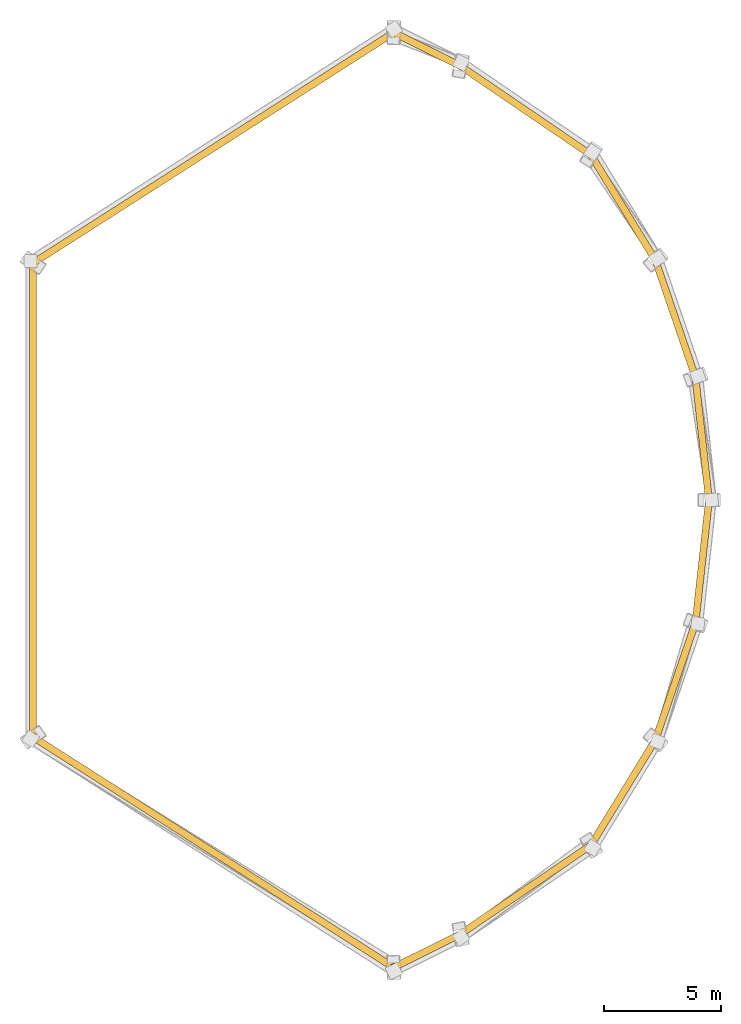
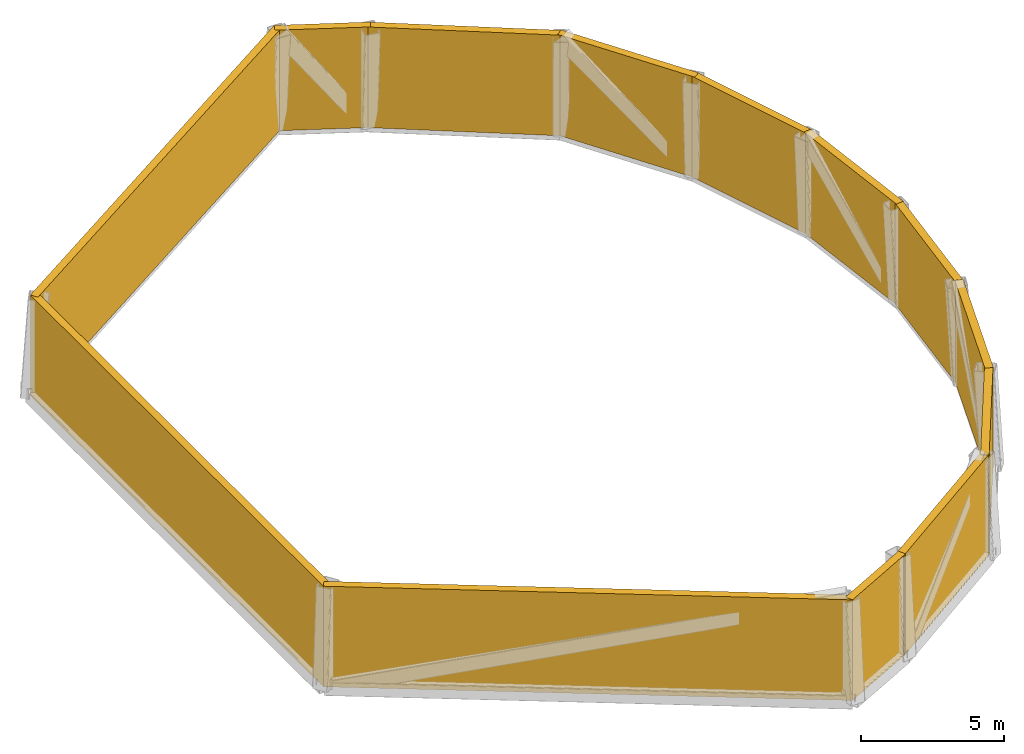
# One storey, part 2 of 2: 13 shading devices.
"""IFC4 building model written with IfcOpenShell, lengths in metres."""

from ifc_helpers import new_model, si_unit, direction, frame, origin, origin_2d, place, context, subcontext, project, spatial, rectangle, extrude, material, type_object, element, save


model = new_model("IFC4")

# Units and contexts
model_context = context("Model", 3, precision=1e-05, world=origin(), true_north=direction((0.0, 1.0)))
body_context = subcontext(model_context, "Body", "Model", "MODEL_VIEW")
ifc_project = project(units=[si_unit("LENGTHUNIT", "METRE"), si_unit("AREAUNIT", "SQUARE_METRE"), si_unit("VOLUMEUNIT", "CUBIC_METRE"), si_unit("PLANEANGLEUNIT", "RADIAN"), si_unit("MASSUNIT", "GRAM", prefix="KILO")], contexts=[model_context])

# Site, building, storey
site_placement = place(None, origin())
site = spatial("IfcSite", under=ifc_project, at=site_placement, CompositionType="ELEMENT")
building_placement = place(site_placement, origin())
building = spatial("IfcBuilding", under=site, at=building_placement, Name="Qorvath Tower", CompositionType="ELEMENT")
storey_placement = place(building_placement, frame((0.0, 0.0, 331.199951171875)))
storey = spatial("IfcBuildingStorey", under=building, at=storey_placement, Name="L77", CompositionType="ELEMENT", Elevation=331.199951171875)

# Shading devices
ifc_material = material(Name="Anodised bronze-champagne aluminium", Category="aluminium")
shading_device_type = type_object("IfcShadingDeviceType", Name="SD-SCREEN", PredefinedType="USERDEFINED", material=ifc_material)
shading_device_1_placement = place(storey_placement, frame((-34.613525390625, 0.0, -0.0400390625), z_axis=(0.0, 0.0, 1.0), x_axis=(0.0, -1.0, 0.0)))
element("IfcShadingDevice", 1, at=shading_device_1_placement, inside=storey, type_object=shading_device_type, Name="Crown Acoustic Louvre Screen L77-01", PredefinedType="NOTDEFINED", context=body_context, shape_type="SweptSolid", body=[
    extrude(rectangle(XDim=20.424560546875, YDim=0.300048828125, at=origin_2d()), origin(), (0.0, 0.0, 1.0), 4.280029296875),
])
shading_device_2_placement = place(storey_placement, frame((-26.9091796875, -15.05615234375, -0.0400390625), z_axis=(0.0, 0.0, 1.0), x_axis=(0.842609396732, -0.538525212537, 0.0)))
element("IfcShadingDevice", 2, at=shading_device_2_placement, inside=storey, type_object=shading_device_type, Name="Crown Acoustic Louvre Screen L77-02", PredefinedType="NOTDEFINED", context=body_context, shape_type="SweptSolid", body=[
    extrude(rectangle(XDim=18.44677734375, YDim=0.300048828125, at=origin_2d()), origin(), (0.0, 0.0, 1.0), 4.280029296875),
])
shading_device_3_placement = place(storey_placement, frame((-17.777587890625, -19.2666015625, -0.0400390625), z_axis=(0.0, 0.0, 1.0), x_axis=(0.894439298152, 0.447189380377, 0.0)))
element("IfcShadingDevice", 3, at=shading_device_3_placement, inside=storey, type_object=shading_device_type, Name="Crown Acoustic Louvre Screen L77-03", PredefinedType="NOTDEFINED", context=body_context, shape_type="SweptSolid", body=[
    extrude(rectangle(XDim=3.35107421875, YDim=0.300048828125, at=origin_2d()), origin(), (0.0, 0.0, 1.0), 4.280029296875),
])
shading_device_4_placement = place(storey_placement, frame((-13.561279296875, -16.654541015625, -0.0400390625), z_axis=(0.0, 0.0, 1.0), x_axis=(0.8266663593, 0.562692394121, 0.0)))
element("IfcShadingDevice", 4, at=shading_device_4_placement, inside=storey, type_object=shading_device_type, Name="Crown Acoustic Louvre Screen L77-04", PredefinedType="NOTDEFINED", context=body_context, shape_type="SweptSolid", body=[
    extrude(rectangle(XDim=6.907958984375, YDim=0.300048828125, at=origin_2d()), origin(), (0.0, 0.0, 1.0), 4.280029296875),
])
for number, where, z_axis, x_axis, name in (
    (5, (-9.3935546875, -12.5029296875, -0.0400390625), (0.0, 0.0, 1.0), (0.521924024988, 0.852991976598, 0.0), "Crown Acoustic Louvre Screen L77-05"),
    (6, (-7.160400390625, -7.75048828125, -0.0400390625), (0.0, 0.0, 1.0), (0.32353265473, 0.946217005408, 0.0), "Crown Acoustic Louvre Screen L77-06"),
    (7, (-6.016357421875, -2.62548828125, -0.0400390625), (0.0, 0.0, 1.0), (0.109583383172, 0.993977606454, 0.0), "Crown Acoustic Louvre Screen L77-07"),
    (8, (-6.016357421875, 2.62548828125, -0.0400390625), (0.0, 0.0, 1.0), (-0.109583383172, 0.993977606454, 0.0), "Crown Acoustic Louvre Screen L77-08"),
    (9, (-7.160400390625, 7.75048828125, -0.0400390625), (0.0, 0.0, 1.0), (-0.32353265473, 0.946217005408, 0.0), "Crown Acoustic Louvre Screen L77-09"),
    (10, (-9.3935546875, 12.5029296875, -0.0400390625), (0.0, 0.0, 1.0), (-0.521924024988, 0.852991976598, 0.0), "Crown Acoustic Louvre Screen L77-10"),
):
    element("IfcShadingDevice", number, at=place(storey_placement, frame(where, z_axis=z_axis, x_axis=x_axis)), inside=storey, type_object=shading_device_type, Name=name, PredefinedType="NOTDEFINED", context=body_context, shape_type="SweptSolid", body=[
        extrude(rectangle(XDim=5.44287109375, YDim=0.300048828125, at=origin_2d()), origin(), (0.0, 0.0, 1.0), 4.280029296875),
    ])
shading_device_5_placement = place(storey_placement, frame((-13.561279296875, 16.654541015625, -0.0400390625), z_axis=(0.0, 0.0, 1.0), x_axis=(-0.8266663593, 0.562692394121, 0.0)))
element("IfcShadingDevice", 11, at=shading_device_5_placement, inside=storey, type_object=shading_device_type, Name="Crown Acoustic Louvre Screen L77-11", PredefinedType="NOTDEFINED", context=body_context, shape_type="SweptSolid", body=[
    extrude(rectangle(XDim=6.907958984375, YDim=0.300048828125, at=origin_2d()), origin(), (0.0, 0.0, 1.0), 4.280029296875),
])
shading_device_6_placement = place(storey_placement, frame((-17.777587890625, 19.2666015625, -0.0400390625), z_axis=(0.0, 0.0, 1.0), x_axis=(-0.894439298152, 0.447189380377, 0.0)))
element("IfcShadingDevice", 12, at=shading_device_6_placement, inside=storey, type_object=shading_device_type, Name="Crown Acoustic Louvre Screen L77-12", PredefinedType="NOTDEFINED", context=body_context, shape_type="SweptSolid", body=[
    extrude(rectangle(XDim=3.35107421875, YDim=0.300048828125, at=origin_2d()), origin(), (0.0, 0.0, 1.0), 4.280029296875),
])
shading_device_7_placement = place(storey_placement, frame((-26.9091796875, 15.05615234375, -0.0400390625), z_axis=(0.0, 0.0, 1.0), x_axis=(-0.842609396732, -0.538525212537, 0.0)))
element("IfcShadingDevice", 13, at=shading_device_7_placement, inside=storey, type_object=shading_device_type, Name="Crown Acoustic Louvre Screen L77-13", PredefinedType="NOTDEFINED", context=body_context, shape_type="SweptSolid", body=[
    extrude(rectangle(XDim=18.44677734375, YDim=0.300048828125, at=origin_2d()), origin(), (0.0, 0.0, 1.0), 4.280029296875),
])

save(model, "model.ifc")
